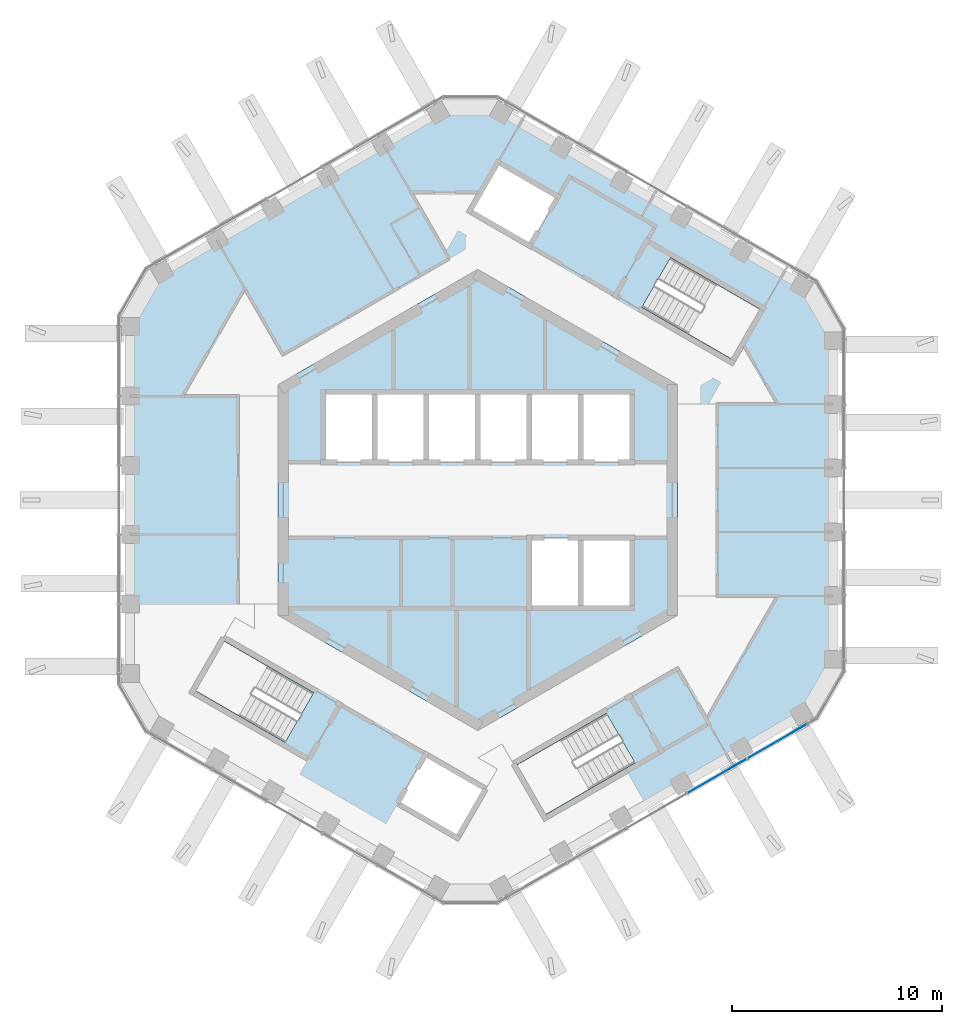
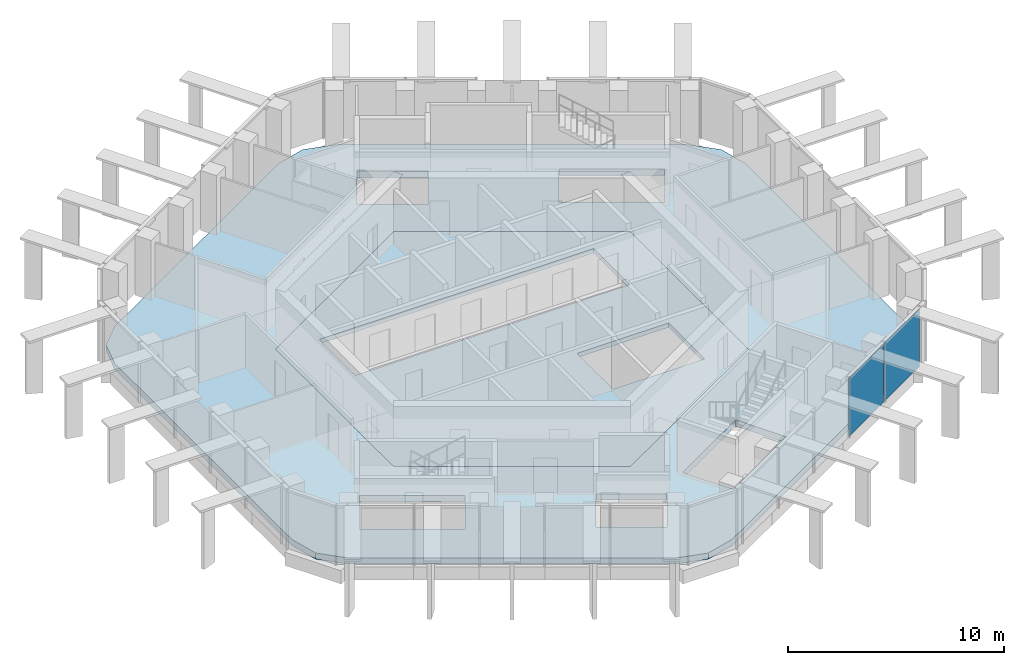
# One storey, part 8 of 18: 2 plates, 2 slabs, 1 element without a shape of its own.
"""IFC4 building model written with IfcOpenShell, lengths in metres."""

from ifc_helpers import new_model, si_unit, direction, frame, origin, origin_2d, place, context, subcontext, project, spatial, polyline, rectangle, outline, extrude, material, layer, layer_set, type_object, element, aggregate, save


model = new_model("IFC4")

# Units and contexts
model_context = context("Model", 3, precision=1e-05, world=origin(), true_north=direction((0.0, 1.0)))
body_context = subcontext(model_context, "Body", "Model", "MODEL_VIEW")
ifc_project = project(units=[si_unit("LENGTHUNIT", "METRE"), si_unit("AREAUNIT", "SQUARE_METRE"), si_unit("VOLUMEUNIT", "CUBIC_METRE"), si_unit("PLANEANGLEUNIT", "RADIAN"), si_unit("MASSUNIT", "GRAM", prefix="KILO")], contexts=[model_context])

# Site, building, storey
site_placement = place(None, origin())
site = spatial("IfcSite", under=ifc_project, at=site_placement, CompositionType="ELEMENT")
building_placement = place(site_placement, origin())
building = spatial("IfcBuilding", under=site, at=building_placement, Name="Ayvan Gate Tower", CompositionType="ELEMENT")
storey_placement = place(building_placement, frame((0.0, 0.0, 239.300048828125)))
storey = spatial("IfcBuildingStorey", under=building, at=storey_placement, Name="L64", CompositionType="ELEMENT", Elevation=239.300048828125)

# Slabs
ifc_material_1 = material(Name="Concrete C40/50", Category="concrete")
ifc_layer_1 = layer(ifc_material_1, 0.35009765625)
ifc_layer_set_1 = layer_set([ifc_layer_1], Name="Concrete C40/50")
slab_type_1 = type_object("IfcSlabType", Name="Post-tensioned flat slab 350", PredefinedType="FLOOR", material=ifc_layer_set_1)
slab_1_placement = place(storey_placement, frame((0.0, 0.0, -0.35009765625)))
element("IfcSlab", 1, at=slab_1_placement, inside=storey, type_object=slab_type_1, Name="SL-L64", PredefinedType="FLOOR", context=body_context, shape_type="SweptSolid", body=[
    extrude(outline(polyline([(1.143798828125, -18.428466796875), (-0.356201171875, -18.830322265625), (-1.856201171875, -18.428466796875), (-15.031494140625, -10.821533203125), (-16.12939453125, -9.7236328125), (-16.531494140625, -8.2236328125), (-16.531494140625, 8.2236328125), (-16.12939453125, 9.7236328125), (-15.031494140625, 10.821533203125), (-1.856201171875, 18.428466796875), (-0.356201171875, 18.830322265625), (1.143798828125, 18.428466796875), (15.387451171875, 10.204833984375), (16.485595703125, 9.106689453125), (16.887451171875, 7.606689453125), (16.887451171875, -7.606689453125), (16.485595703125, -9.106689453125), (15.387451171875, -10.204833984375), (1.143798828125, -18.428466796875)]), holes=[polyline([(12.049560546875, 6.720458984375), (13.404541015625, 9.0673828125), (9.1611328125, 11.517578125), (7.80615234375, 9.170654296875), (12.049560546875, 6.720458984375)]), polyline([(9.5, 5.48486328125), (0.0, 10.9697265625), (-9.5, 5.48486328125), (-9.5, -5.48486328125), (0.0, -10.9697265625), (9.5, -5.48486328125), (9.5, 5.48486328125)]), polyline([(1.873779296875, -12.595458984375), (3.228759765625, -14.9423828125), (7.472412109375, -12.492431640625), (6.117431640625, -10.1455078125), (1.873779296875, -12.595458984375)]), polyline([(3.822509765625, 14.420654296875), (0.964599609375, 16.07080078125), (-0.385498046875, 13.732421875), (2.472412109375, 12.08251953125), (3.822509765625, 14.420654296875)]), polyline([(0.385498046875, -13.732421875), (-2.472412109375, -12.08251953125), (-3.822509765625, -14.420654296875), (-0.964599609375, -16.07080078125), (0.385498046875, -13.732421875)]), polyline([(-9.1611328125, -11.517578125), (-7.80615234375, -9.170654296875), (-12.049560546875, -6.720458984375), (-13.404541015625, -9.0673828125), (-9.1611328125, -11.517578125)])]), origin(), (0.0, 0.0, 1.0), 0.35009765625),
])
ifc_layer_2 = layer(ifc_material_1, 0.25)
ifc_layer_set_2 = layer_set([ifc_layer_2], Name="Concrete C40/50")
slab_type_2 = type_object("IfcSlabType", Name="SL-CORE-250", PredefinedType="FLOOR", material=ifc_layer_set_2)
slab_2_placement = place(storey_placement, frame((0.0, 0.0, -0.25)))
element("IfcSlab", 2, at=slab_2_placement, inside=storey, type_object=slab_type_2, Name="CS-L64", PredefinedType="FLOOR", context=body_context, shape_type="SweptSolid", body=[
    extrude(outline(polyline([(9.5, -5.48486328125), (0.0, -10.9697265625), (-9.5, -5.48486328125), (-9.5, 5.48486328125), (0.0, 10.9697265625), (9.5, 5.48486328125), (9.5, -5.48486328125)]), holes=[polyline([(-7.35009765625, 5.14990234375), (-7.35009765625, 1.800048828125), (7.35009765625, 1.800048828125), (7.35009765625, 5.14990234375), (-7.35009765625, 5.14990234375)]), polyline([(2.449951171875, -1.800048828125), (2.449951171875, -5.14990234375), (7.35009765625, -5.14990234375), (7.35009765625, -1.800048828125), (2.449951171875, -1.800048828125)])]), origin(), (0.0, 0.0, 1.0), 0.25),
])

# Curtain wall, plates
ifc_material_2 = material(Name="Bronze anodised aluminium", Category="aluminium")
ifc_layer_3 = layer(ifc_material_2, 0.199951171875)
ifc_layer_set_3 = layer_set([ifc_layer_3], Name="Bronze anodised aluminium")
curtain_wall_type = type_object("IfcCurtainWallType", Name="Stick curtain wall CW-2", PredefinedType="NOTDEFINED", material=ifc_layer_set_3)
curtain_wall_placement = place(storey_placement, origin())
curtain_wall = element("IfcCurtainWall", 3, at=curtain_wall_placement, inside=storey, type_object=curtain_wall_type, Name="Stick curtain wall CW-2 L64", PredefinedType="NOTDEFINED")
ifc_material_3 = material(Name="Clear low-iron laminated glass", Category="glass")
ifc_layer_4 = layer(ifc_material_3, 0.028076171875)
ifc_layer_set_4 = layer_set([ifc_layer_4], Name="Clear low-iron laminated glass")
plate_type = type_object("IfcPlateType", Name="Stick curtain wall CW-2 glass panel", PredefinedType="CURTAIN_PANEL", material=ifc_layer_set_4)
plate_1_placement = place(storey_placement, frame((11.3828125, -13.123046875, 0.0), z_axis=(0.0, 0.0, 1.0), x_axis=(0.866025403784, 0.5, 0.0)))
plate_1 = element("IfcPlate", 4, at=plate_1_placement, type_object=plate_type, Name="CW-2 glass panel 4", PredefinedType="CURTAIN_PANEL", context=body_context, shape_type="SweptSolid", body=[
    extrude(rectangle(XDim=3.22607421875, YDim=0.028076171875, at=origin_2d()), origin(), (0.0, 0.0, 1.0), 3.280029296875),
])
plate_2_placement = place(storey_placement, frame((14.260009765625, -11.4619140625, 0.0), z_axis=(0.0, 0.0, 1.0), x_axis=(0.866025403784, 0.5, 0.0)))
plate_2 = element("IfcPlate", 5, at=plate_2_placement, type_object=plate_type, Name="CW-2 glass panel 5", PredefinedType="CURTAIN_PANEL", context=body_context, shape_type="SweptSolid", body=[
    extrude(rectangle(XDim=3.2783203125, YDim=0.028076171875, at=origin_2d()), origin(), (0.0, 0.0, 1.0), 3.280029296875),
])
aggregate(curtain_wall, [plate_1, plate_2])

save(model, "model.ifc")
